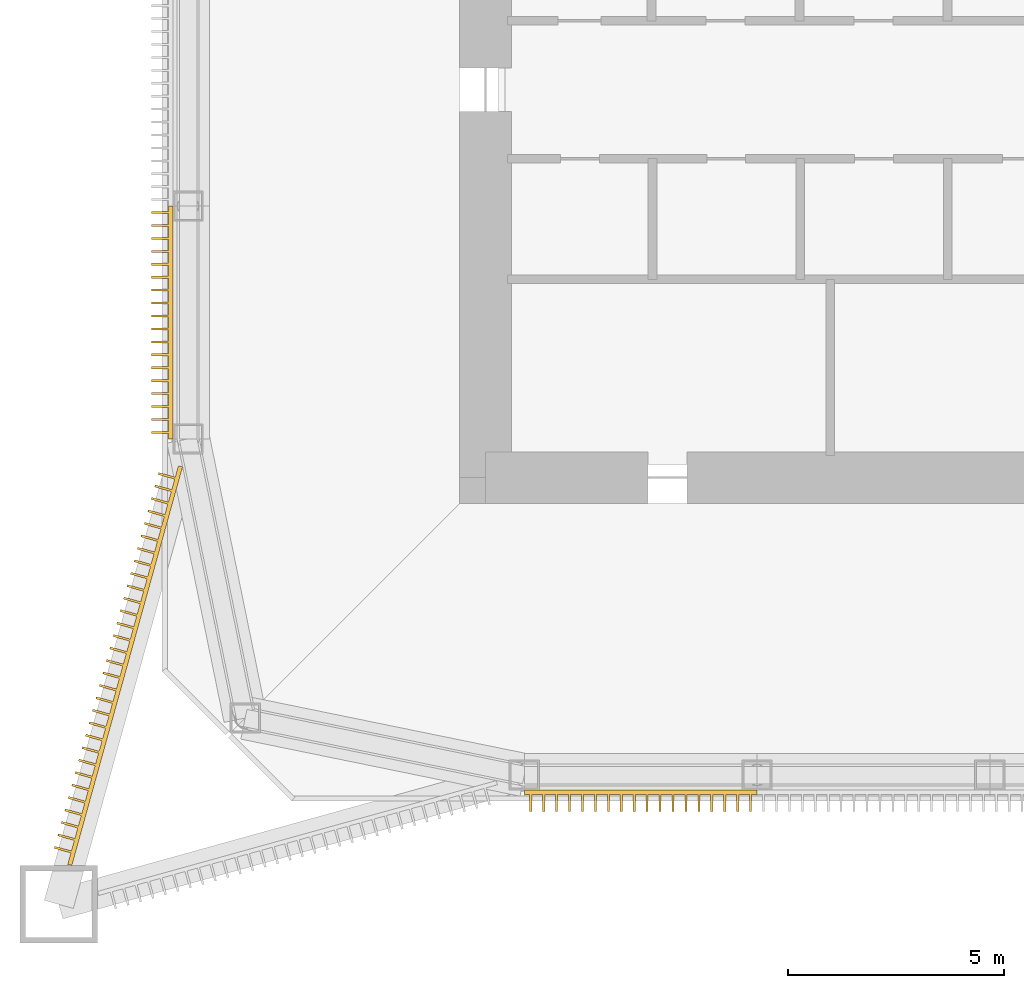
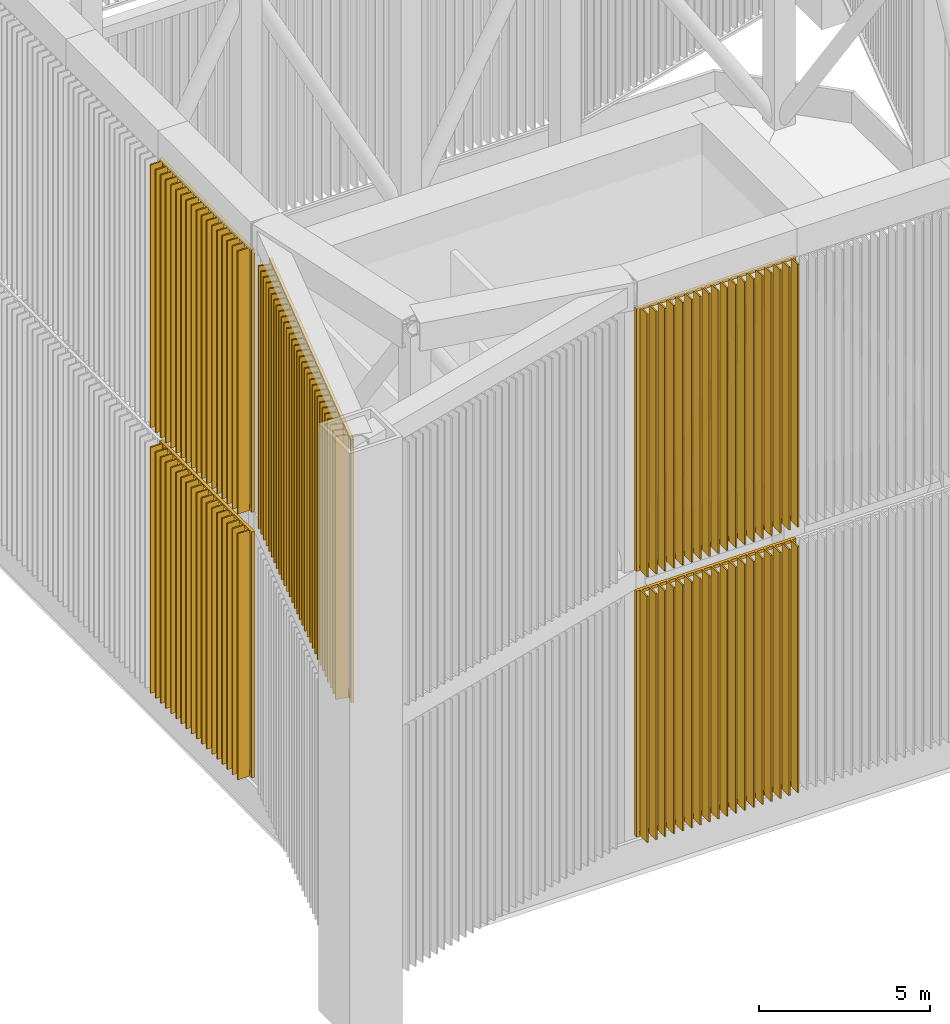
# One storey, part 5 of 13: 5 shading devices.
"""IFC4 building model written with IfcOpenShell, lengths in metres."""

from ifc_helpers import new_model, si_unit, direction, frame, origin, origin_2d, place, context, subcontext, project, spatial, rectangle, extrude, material, layer, layer_set, type_object, element, save


model = new_model("IFC4")

# Units and contexts
model_context = context("Model", 3, precision=1e-05, world=origin(), true_north=direction((0.0, 1.0)))
body_context = subcontext(model_context, "Body", "Model", "MODEL_VIEW")
ifc_project = project(units=[si_unit("LENGTHUNIT", "METRE"), si_unit("AREAUNIT", "SQUARE_METRE"), si_unit("VOLUMEUNIT", "CUBIC_METRE"), si_unit("PLANEANGLEUNIT", "RADIAN"), si_unit("MASSUNIT", "GRAM", prefix="KILO")], contexts=[model_context])

# Site, building, storey
site_placement = place(None, origin())
site = spatial("IfcSite", under=ifc_project, at=site_placement, CompositionType="ELEMENT")
building_placement = place(site_placement, origin())
building = spatial("IfcBuilding", under=site, at=building_placement, Name="Iwan Alto Co-Living Towers", CompositionType="ELEMENT")
storey_placement = place(building_placement, frame((0.0, 0.0, 267.5)))
storey = spatial("IfcBuildingStorey", under=building, at=storey_placement, Name="RF", CompositionType="ELEMENT", Elevation=267.5)

# Shading devices
ifc_material_1 = material(Name="Aluminium 6063-T6 bronze anodised", Category="aluminium")
ifc_layer_1 = layer(ifc_material_1, 0.39990234375, Name="Fins", Category="Finish")
ifc_material_2 = material(Name="Steel ASTM A36 galvanised frame", Category="steel")
ifc_layer_2 = layer(ifc_material_2, 0.10009765625, Name="Panel frame", Category="Framing")
ifc_layer_set_1 = layer_set([ifc_layer_1, ifc_layer_2], Name="CROWN FIN SCREEN CORNER PANEL")
shading_device_type_1 = type_object("IfcShadingDeviceType", Name="CROWN FIN SCREEN CORNER PANEL", PredefinedType="USERDEFINED", material=ifc_layer_set_1)
shading_device_1_placement = place(storey_placement, frame((0.0, 0.0, -267.5)))
element("IfcShadingDevice", 1, at=shading_device_1_placement, inside=storey, type_object=shading_device_type_1, Name="T1 crown fin screen SW-W upper", ObjectType="LOUVER", PredefinedType="USERDEFINED", context=body_context, shape_type="SweptSolid", body=[
    extrude(rectangle(XDim=9.59912109375, YDim=0.10009765625, at=origin_2d()), frame((-17.361083984375, -13.3603515625, 278.099853515625), z_axis=(0.0, 0.0, 1.0), x_axis=(-0.267643863841, -0.963517909615, 0.0)), (0.0, 0.0, 1.0), 0.10009765625),
    extrude(rectangle(XDim=9.59912109375, YDim=0.10009765625, at=origin_2d()), frame((-17.361083984375, -13.3603515625, 287.39990234375), z_axis=(0.0, 0.0, 1.0), x_axis=(-0.267643863841, -0.963517909615, 0.0)), (0.0, 0.0, 1.0), 0.10009765625),
    extrude(rectangle(XDim=0.10009765625, YDim=0.10009765625, at=origin_2d()), frame((-16.090087890625, -8.7841796875, 278.195068359375), z_axis=(0.0, 0.0, 1.0), x_axis=(-0.267643863841, -0.963517909615, 0.0)), (0.0, 0.0, 1.0), 9.2099609375),
    extrude(rectangle(XDim=0.10009765625, YDim=0.10009765625, at=origin_2d()), frame((-18.63232421875, -17.9365234375, 278.195068359375), z_axis=(0.0, 0.0, 1.0), x_axis=(-0.267643863841, -0.963517909615, 0.0)), (0.0, 0.0, 1.0), 9.2099609375),
    extrude(rectangle(XDim=0.050048828125, YDim=0.405029296875, at=origin_2d()), frame((-16.395263671875, -8.958251953125, 278.10009765625), z_axis=(0.0, 0.0, 1.0), x_axis=(-0.267643863841, -0.963517909615, 0.0)), (0.0, 0.0, 1.0), 9.39990234375),
    extrude(rectangle(XDim=0.050048828125, YDim=0.405029296875, at=origin_2d()), frame((-16.4755859375, -9.247314453125, 278.10009765625), z_axis=(0.0, 0.0, 1.0), x_axis=(-0.267643863841, -0.963517909615, 0.0)), (0.0, 0.0, 1.0), 9.39990234375),
    extrude(rectangle(XDim=0.050048828125, YDim=0.405029296875, at=origin_2d()), frame((-16.555908203125, -9.536376953125, 278.10009765625), z_axis=(0.0, 0.0, 1.0), x_axis=(-0.267643863841, -0.963517909615, 0.0)), (0.0, 0.0, 1.0), 9.39990234375),
    extrude(rectangle(XDim=0.050048828125, YDim=0.405029296875, at=origin_2d()), frame((-16.63623046875, -9.825439453125, 278.10009765625), z_axis=(0.0, 0.0, 1.0), x_axis=(-0.267643863841, -0.963517909615, 0.0)), (0.0, 0.0, 1.0), 9.39990234375),
    extrude(rectangle(XDim=0.050048828125, YDim=0.405029296875, at=origin_2d()), frame((-16.71630859375, -10.114501953125, 278.10009765625), z_axis=(0.0, 0.0, 1.0), x_axis=(-0.267643863841, -0.963517909615, 0.0)), (0.0, 0.0, 1.0), 9.39990234375),
    extrude(rectangle(XDim=0.050048828125, YDim=0.405029296875, at=origin_2d()), frame((-16.796630859375, -10.403564453125, 278.10009765625), z_axis=(0.0, 0.0, 1.0), x_axis=(-0.267643863841, -0.963517909615, 0.0)), (0.0, 0.0, 1.0), 9.39990234375),
    extrude(rectangle(XDim=0.050048828125, YDim=0.405029296875, at=origin_2d()), frame((-16.876953125, -10.692626953125, 278.10009765625), z_axis=(0.0, 0.0, 1.0), x_axis=(-0.267643863841, -0.963517909615, 0.0)), (0.0, 0.0, 1.0), 9.39990234375),
    extrude(rectangle(XDim=0.050048828125, YDim=0.405029296875, at=origin_2d()), frame((-16.957275390625, -10.981689453125, 278.10009765625), z_axis=(0.0, 0.0, 1.0), x_axis=(-0.267643863841, -0.963517909615, 0.0)), (0.0, 0.0, 1.0), 9.39990234375),
    extrude(rectangle(XDim=0.050048828125, YDim=0.405029296875, at=origin_2d()), frame((-17.03759765625, -11.270751953125, 278.10009765625), z_axis=(0.0, 0.0, 1.0), x_axis=(-0.267643863841, -0.963517909615, 0.0)), (0.0, 0.0, 1.0), 9.39990234375),
    extrude(rectangle(XDim=0.050048828125, YDim=0.405029296875, at=origin_2d()), frame((-17.117919921875, -11.559814453125, 278.10009765625), z_axis=(0.0, 0.0, 1.0), x_axis=(-0.267643863841, -0.963517909615, 0.0)), (0.0, 0.0, 1.0), 9.39990234375),
    extrude(rectangle(XDim=0.050048828125, YDim=0.405029296875, at=origin_2d()), frame((-17.1982421875, -11.848876953125, 278.10009765625), z_axis=(0.0, 0.0, 1.0), x_axis=(-0.267643863841, -0.963517909615, 0.0)), (0.0, 0.0, 1.0), 9.39990234375),
    extrude(rectangle(XDim=0.050048828125, YDim=0.405029296875, at=origin_2d()), frame((-17.278564453125, -12.137939453125, 278.10009765625), z_axis=(0.0, 0.0, 1.0), x_axis=(-0.267643863841, -0.963517909615, 0.0)), (0.0, 0.0, 1.0), 9.39990234375),
    extrude(rectangle(XDim=0.050048828125, YDim=0.405029296875, at=origin_2d()), frame((-17.35888671875, -12.427001953125, 278.10009765625), z_axis=(0.0, 0.0, 1.0), x_axis=(-0.267643863841, -0.963517909615, 0.0)), (0.0, 0.0, 1.0), 9.39990234375),
    extrude(rectangle(XDim=0.050048828125, YDim=0.405029296875, at=origin_2d()), frame((-17.439208984375, -12.716064453125, 278.10009765625), z_axis=(0.0, 0.0, 1.0), x_axis=(-0.267643863841, -0.963517909615, 0.0)), (0.0, 0.0, 1.0), 9.39990234375),
    extrude(rectangle(XDim=0.050048828125, YDim=0.405029296875, at=origin_2d()), frame((-17.519287109375, -13.0048828125, 278.10009765625), z_axis=(0.0, 0.0, 1.0), x_axis=(-0.267643863841, -0.963517909615, 0.0)), (0.0, 0.0, 1.0), 9.39990234375),
    extrude(rectangle(XDim=0.050048828125, YDim=0.405029296875, at=origin_2d()), frame((-17.599609375, -13.294189453125, 278.10009765625), z_axis=(0.0, 0.0, 1.0), x_axis=(-0.267643863841, -0.963517909615, 0.0)), (0.0, 0.0, 1.0), 9.39990234375),
    extrude(rectangle(XDim=0.050048828125, YDim=0.405029296875, at=origin_2d()), frame((-17.679931640625, -13.5830078125, 278.10009765625), z_axis=(0.0, 0.0, 1.0), x_axis=(-0.267643863841, -0.963517909615, 0.0)), (0.0, 0.0, 1.0), 9.39990234375),
    extrude(rectangle(XDim=0.050048828125, YDim=0.405029296875, at=origin_2d()), frame((-17.76025390625, -13.872314453125, 278.10009765625), z_axis=(0.0, 0.0, 1.0), x_axis=(-0.267643863841, -0.963517909615, 0.0)), (0.0, 0.0, 1.0), 9.39990234375),
    extrude(rectangle(XDim=0.050048828125, YDim=0.405029296875, at=origin_2d()), frame((-17.840576171875, -14.161376953125, 278.10009765625), z_axis=(0.0, 0.0, 1.0), x_axis=(-0.267643863841, -0.963517909615, 0.0)), (0.0, 0.0, 1.0), 9.39990234375),
    extrude(rectangle(XDim=0.050048828125, YDim=0.405029296875, at=origin_2d()), frame((-17.9208984375, -14.4501953125, 278.10009765625), z_axis=(0.0, 0.0, 1.0), x_axis=(-0.267643863841, -0.963517909615, 0.0)), (0.0, 0.0, 1.0), 9.39990234375),
    extrude(rectangle(XDim=0.050048828125, YDim=0.405029296875, at=origin_2d()), frame((-18.001220703125, -14.739501953125, 278.10009765625), z_axis=(0.0, 0.0, 1.0), x_axis=(-0.267643863841, -0.963517909615, 0.0)), (0.0, 0.0, 1.0), 9.39990234375),
    extrude(rectangle(XDim=0.050048828125, YDim=0.405029296875, at=origin_2d()), frame((-18.081298828125, -15.0283203125, 278.10009765625), z_axis=(0.0, 0.0, 1.0), x_axis=(-0.267643863841, -0.963517909615, 0.0)), (0.0, 0.0, 1.0), 9.39990234375),
    extrude(rectangle(XDim=0.050048828125, YDim=0.405029296875, at=origin_2d()), frame((-18.16162109375, -15.3173828125, 278.10009765625), z_axis=(0.0, 0.0, 1.0), x_axis=(-0.267643863841, -0.963517909615, 0.0)), (0.0, 0.0, 1.0), 9.39990234375),
    extrude(rectangle(XDim=0.050048828125, YDim=0.405029296875, at=origin_2d()), frame((-18.241943359375, -15.6064453125, 278.10009765625), z_axis=(0.0, 0.0, 1.0), x_axis=(-0.267643863841, -0.963517909615, 0.0)), (0.0, 0.0, 1.0), 9.39990234375),
    extrude(rectangle(XDim=0.050048828125, YDim=0.405029296875, at=origin_2d()), frame((-18.322265625, -15.8955078125, 278.10009765625), z_axis=(0.0, 0.0, 1.0), x_axis=(-0.267643863841, -0.963517909615, 0.0)), (0.0, 0.0, 1.0), 9.39990234375),
    extrude(rectangle(XDim=0.050048828125, YDim=0.405029296875, at=origin_2d()), frame((-18.402587890625, -16.1845703125, 278.10009765625), z_axis=(0.0, 0.0, 1.0), x_axis=(-0.267643863841, -0.963517909615, 0.0)), (0.0, 0.0, 1.0), 9.39990234375),
    extrude(rectangle(XDim=0.050048828125, YDim=0.405029296875, at=origin_2d()), frame((-18.48291015625, -16.4736328125, 278.10009765625), z_axis=(0.0, 0.0, 1.0), x_axis=(-0.267643863841, -0.963517909615, 0.0)), (0.0, 0.0, 1.0), 9.39990234375),
    extrude(rectangle(XDim=0.050048828125, YDim=0.405029296875, at=origin_2d()), frame((-18.563232421875, -16.7626953125, 278.10009765625), z_axis=(0.0, 0.0, 1.0), x_axis=(-0.267643863841, -0.963517909615, 0.0)), (0.0, 0.0, 1.0), 9.39990234375),
    extrude(rectangle(XDim=0.050048828125, YDim=0.405029296875, at=origin_2d()), frame((-18.6435546875, -17.0517578125, 278.10009765625), z_axis=(0.0, 0.0, 1.0), x_axis=(-0.267643863841, -0.963517909615, 0.0)), (0.0, 0.0, 1.0), 9.39990234375),
    extrude(rectangle(XDim=0.050048828125, YDim=0.405029296875, at=origin_2d()), frame((-18.723876953125, -17.3408203125, 278.10009765625), z_axis=(0.0, 0.0, 1.0), x_axis=(-0.267643863841, -0.963517909615, 0.0)), (0.0, 0.0, 1.0), 9.39990234375),
    extrude(rectangle(XDim=0.050048828125, YDim=0.405029296875, at=origin_2d()), frame((-18.80419921875, -17.6298828125, 278.10009765625), z_axis=(0.0, 0.0, 1.0), x_axis=(-0.267643863841, -0.963517909615, 0.0)), (0.0, 0.0, 1.0), 9.39990234375),
])
ifc_layer_3 = layer(ifc_material_1, 0.39990234375, Name="Fins", Category="Finish")
ifc_layer_4 = layer(ifc_material_2, 0.10009765625, Name="Panel frame", Category="Framing")
ifc_layer_set_2 = layer_set([ifc_layer_3, ifc_layer_4], Name="CROWN FIN SCREEN PANEL")
shading_device_type_2 = type_object("IfcShadingDeviceType", Name="CROWN FIN SCREEN PANEL", PredefinedType="USERDEFINED", material=ifc_layer_set_2)
shading_device_2_placement = place(storey_placement, frame((0.0, 0.0, -267.5)))
element("IfcShadingDevice", 2, at=shading_device_2_placement, inside=storey, type_object=shading_device_type_2, Name="T1 crown fin screen S-01 lower", ObjectType="LOUVER", PredefinedType="USERDEFINED", context=body_context, shape_type="SweptSolid", body=[
    extrude(rectangle(XDim=5.39990234375, YDim=0.10009765625, at=origin_2d()), frame((-5.39990234375, -16.300048828125, 268.599853515625), z_axis=(0.0, 0.0, 1.0), x_axis=(1.0, 0.0, 0.0)), (0.0, 0.0, 1.0), 0.10009765625),
    extrude(rectangle(XDim=5.39990234375, YDim=0.10009765625, at=origin_2d()), frame((-5.39990234375, -16.300048828125, 277.300048828125), z_axis=(0.0, 0.0, 1.0), x_axis=(1.0, 0.0, 0.0)), (0.0, 0.0, 1.0), 0.10009765625),
    extrude(rectangle(XDim=0.10009765625, YDim=0.10009765625, at=origin_2d()), frame((-8.050048828125, -16.300048828125, 268.69482421875), z_axis=(0.0, 0.0, 1.0), x_axis=(1.0, 0.0, 0.0)), (0.0, 0.0, 1.0), 8.610107421875),
    extrude(rectangle(XDim=0.10009765625, YDim=0.10009765625, at=origin_2d()), frame((-2.75, -16.300048828125, 268.69482421875), z_axis=(0.0, 0.0, 1.0), x_axis=(1.0, 0.0, 0.0)), (0.0, 0.0, 1.0), 8.610107421875),
    extrude(rectangle(XDim=0.050048828125, YDim=0.405029296875, at=origin_2d()), frame((-7.949951171875, -16.547607421875, 268.60009765625), z_axis=(0.0, 0.0, 1.0), x_axis=(1.0, 0.0, 0.0)), (0.0, 0.0, 1.0), 8.800048828125),
    extrude(rectangle(XDim=0.050048828125, YDim=0.405029296875, at=origin_2d()), frame((-7.64990234375, -16.547607421875, 268.60009765625), z_axis=(0.0, 0.0, 1.0), x_axis=(1.0, 0.0, 0.0)), (0.0, 0.0, 1.0), 8.800048828125),
    extrude(rectangle(XDim=0.050048828125, YDim=0.405029296875, at=origin_2d()), frame((-7.35009765625, -16.547607421875, 268.60009765625), z_axis=(0.0, 0.0, 1.0), x_axis=(1.0, 0.0, 0.0)), (0.0, 0.0, 1.0), 8.800048828125),
    extrude(rectangle(XDim=0.050048828125, YDim=0.405029296875, at=origin_2d()), frame((-7.050048828125, -16.547607421875, 268.60009765625), z_axis=(0.0, 0.0, 1.0), x_axis=(1.0, 0.0, 0.0)), (0.0, 0.0, 1.0), 8.800048828125),
    extrude(rectangle(XDim=0.050048828125, YDim=0.405029296875, at=origin_2d()), frame((-6.75, -16.547607421875, 268.60009765625), z_axis=(0.0, 0.0, 1.0), x_axis=(1.0, 0.0, 0.0)), (0.0, 0.0, 1.0), 8.800048828125),
    extrude(rectangle(XDim=0.050048828125, YDim=0.405029296875, at=origin_2d()), frame((-6.449951171875, -16.547607421875, 268.60009765625), z_axis=(0.0, 0.0, 1.0), x_axis=(1.0, 0.0, 0.0)), (0.0, 0.0, 1.0), 8.800048828125),
    extrude(rectangle(XDim=0.050048828125, YDim=0.405029296875, at=origin_2d()), frame((-6.14990234375, -16.547607421875, 268.60009765625), z_axis=(0.0, 0.0, 1.0), x_axis=(1.0, 0.0, 0.0)), (0.0, 0.0, 1.0), 8.800048828125),
    extrude(rectangle(XDim=0.050048828125, YDim=0.405029296875, at=origin_2d()), frame((-5.85009765625, -16.547607421875, 268.60009765625), z_axis=(0.0, 0.0, 1.0), x_axis=(1.0, 0.0, 0.0)), (0.0, 0.0, 1.0), 8.800048828125),
    extrude(rectangle(XDim=0.050048828125, YDim=0.405029296875, at=origin_2d()), frame((-5.550048828125, -16.547607421875, 268.60009765625), z_axis=(0.0, 0.0, 1.0), x_axis=(1.0, 0.0, 0.0)), (0.0, 0.0, 1.0), 8.800048828125),
    extrude(rectangle(XDim=0.050048828125, YDim=0.405029296875, at=origin_2d()), frame((-5.25, -16.547607421875, 268.60009765625), z_axis=(0.0, 0.0, 1.0), x_axis=(1.0, 0.0, 0.0)), (0.0, 0.0, 1.0), 8.800048828125),
    extrude(rectangle(XDim=0.050048828125, YDim=0.405029296875, at=origin_2d()), frame((-4.949951171875, -16.547607421875, 268.60009765625), z_axis=(0.0, 0.0, 1.0), x_axis=(1.0, 0.0, 0.0)), (0.0, 0.0, 1.0), 8.800048828125),
    extrude(rectangle(XDim=0.050048828125, YDim=0.405029296875, at=origin_2d()), frame((-4.64990234375, -16.547607421875, 268.60009765625), z_axis=(0.0, 0.0, 1.0), x_axis=(1.0, 0.0, 0.0)), (0.0, 0.0, 1.0), 8.800048828125),
    extrude(rectangle(XDim=0.050048828125, YDim=0.405029296875, at=origin_2d()), frame((-4.35009765625, -16.547607421875, 268.60009765625), z_axis=(0.0, 0.0, 1.0), x_axis=(1.0, 0.0, 0.0)), (0.0, 0.0, 1.0), 8.800048828125),
    extrude(rectangle(XDim=0.050048828125, YDim=0.405029296875, at=origin_2d()), frame((-4.050048828125, -16.547607421875, 268.60009765625), z_axis=(0.0, 0.0, 1.0), x_axis=(1.0, 0.0, 0.0)), (0.0, 0.0, 1.0), 8.800048828125),
    extrude(rectangle(XDim=0.050048828125, YDim=0.405029296875, at=origin_2d()), frame((-3.75, -16.547607421875, 268.60009765625), z_axis=(0.0, 0.0, 1.0), x_axis=(1.0, 0.0, 0.0)), (0.0, 0.0, 1.0), 8.800048828125),
    extrude(rectangle(XDim=0.050048828125, YDim=0.405029296875, at=origin_2d()), frame((-3.449951171875, -16.547607421875, 268.60009765625), z_axis=(0.0, 0.0, 1.0), x_axis=(1.0, 0.0, 0.0)), (0.0, 0.0, 1.0), 8.800048828125),
    extrude(rectangle(XDim=0.050048828125, YDim=0.405029296875, at=origin_2d()), frame((-3.14990234375, -16.547607421875, 268.60009765625), z_axis=(0.0, 0.0, 1.0), x_axis=(1.0, 0.0, 0.0)), (0.0, 0.0, 1.0), 8.800048828125),
    extrude(rectangle(XDim=0.050048828125, YDim=0.405029296875, at=origin_2d()), frame((-2.85009765625, -16.547607421875, 268.60009765625), z_axis=(0.0, 0.0, 1.0), x_axis=(1.0, 0.0, 0.0)), (0.0, 0.0, 1.0), 8.800048828125),
])
shading_device_3_placement = place(storey_placement, frame((0.0, 0.0, -267.5)))
element("IfcShadingDevice", 3, at=shading_device_3_placement, inside=storey, type_object=shading_device_type_2, Name="T1 crown fin screen S-01 upper", ObjectType="LOUVER", PredefinedType="USERDEFINED", context=body_context, shape_type="SweptSolid", body=[
    extrude(rectangle(XDim=5.39990234375, YDim=0.10009765625, at=origin_2d()), frame((-5.39990234375, -16.300048828125, 278.099853515625), z_axis=(0.0, 0.0, 1.0), x_axis=(1.0, 0.0, 0.0)), (0.0, 0.0, 1.0), 0.10009765625),
    extrude(rectangle(XDim=5.39990234375, YDim=0.10009765625, at=origin_2d()), frame((-5.39990234375, -16.300048828125, 287.39990234375), z_axis=(0.0, 0.0, 1.0), x_axis=(1.0, 0.0, 0.0)), (0.0, 0.0, 1.0), 0.10009765625),
    extrude(rectangle(XDim=0.10009765625, YDim=0.10009765625, at=origin_2d()), frame((-8.050048828125, -16.300048828125, 278.195068359375), z_axis=(0.0, 0.0, 1.0), x_axis=(1.0, 0.0, 0.0)), (0.0, 0.0, 1.0), 9.2099609375),
    extrude(rectangle(XDim=0.10009765625, YDim=0.10009765625, at=origin_2d()), frame((-2.75, -16.300048828125, 278.195068359375), z_axis=(0.0, 0.0, 1.0), x_axis=(1.0, 0.0, 0.0)), (0.0, 0.0, 1.0), 9.2099609375),
    extrude(rectangle(XDim=0.050048828125, YDim=0.405029296875, at=origin_2d()), frame((-7.949951171875, -16.547607421875, 278.10009765625), z_axis=(0.0, 0.0, 1.0), x_axis=(1.0, 0.0, 0.0)), (0.0, 0.0, 1.0), 9.39990234375),
    extrude(rectangle(XDim=0.050048828125, YDim=0.405029296875, at=origin_2d()), frame((-7.64990234375, -16.547607421875, 278.10009765625), z_axis=(0.0, 0.0, 1.0), x_axis=(1.0, 0.0, 0.0)), (0.0, 0.0, 1.0), 9.39990234375),
    extrude(rectangle(XDim=0.050048828125, YDim=0.405029296875, at=origin_2d()), frame((-7.35009765625, -16.547607421875, 278.10009765625), z_axis=(0.0, 0.0, 1.0), x_axis=(1.0, 0.0, 0.0)), (0.0, 0.0, 1.0), 9.39990234375),
    extrude(rectangle(XDim=0.050048828125, YDim=0.405029296875, at=origin_2d()), frame((-7.050048828125, -16.547607421875, 278.10009765625), z_axis=(0.0, 0.0, 1.0), x_axis=(1.0, 0.0, 0.0)), (0.0, 0.0, 1.0), 9.39990234375),
    extrude(rectangle(XDim=0.050048828125, YDim=0.405029296875, at=origin_2d()), frame((-6.75, -16.547607421875, 278.10009765625), z_axis=(0.0, 0.0, 1.0), x_axis=(1.0, 0.0, 0.0)), (0.0, 0.0, 1.0), 9.39990234375),
    extrude(rectangle(XDim=0.050048828125, YDim=0.405029296875, at=origin_2d()), frame((-6.449951171875, -16.547607421875, 278.10009765625), z_axis=(0.0, 0.0, 1.0), x_axis=(1.0, 0.0, 0.0)), (0.0, 0.0, 1.0), 9.39990234375),
    extrude(rectangle(XDim=0.050048828125, YDim=0.405029296875, at=origin_2d()), frame((-6.14990234375, -16.547607421875, 278.10009765625), z_axis=(0.0, 0.0, 1.0), x_axis=(1.0, 0.0, 0.0)), (0.0, 0.0, 1.0), 9.39990234375),
    extrude(rectangle(XDim=0.050048828125, YDim=0.405029296875, at=origin_2d()), frame((-5.85009765625, -16.547607421875, 278.10009765625), z_axis=(0.0, 0.0, 1.0), x_axis=(1.0, 0.0, 0.0)), (0.0, 0.0, 1.0), 9.39990234375),
    extrude(rectangle(XDim=0.050048828125, YDim=0.405029296875, at=origin_2d()), frame((-5.550048828125, -16.547607421875, 278.10009765625), z_axis=(0.0, 0.0, 1.0), x_axis=(1.0, 0.0, 0.0)), (0.0, 0.0, 1.0), 9.39990234375),
    extrude(rectangle(XDim=0.050048828125, YDim=0.405029296875, at=origin_2d()), frame((-5.25, -16.547607421875, 278.10009765625), z_axis=(0.0, 0.0, 1.0), x_axis=(1.0, 0.0, 0.0)), (0.0, 0.0, 1.0), 9.39990234375),
    extrude(rectangle(XDim=0.050048828125, YDim=0.405029296875, at=origin_2d()), frame((-4.949951171875, -16.547607421875, 278.10009765625), z_axis=(0.0, 0.0, 1.0), x_axis=(1.0, 0.0, 0.0)), (0.0, 0.0, 1.0), 9.39990234375),
    extrude(rectangle(XDim=0.050048828125, YDim=0.405029296875, at=origin_2d()), frame((-4.64990234375, -16.547607421875, 278.10009765625), z_axis=(0.0, 0.0, 1.0), x_axis=(1.0, 0.0, 0.0)), (0.0, 0.0, 1.0), 9.39990234375),
    extrude(rectangle(XDim=0.050048828125, YDim=0.405029296875, at=origin_2d()), frame((-4.35009765625, -16.547607421875, 278.10009765625), z_axis=(0.0, 0.0, 1.0), x_axis=(1.0, 0.0, 0.0)), (0.0, 0.0, 1.0), 9.39990234375),
    extrude(rectangle(XDim=0.050048828125, YDim=0.405029296875, at=origin_2d()), frame((-4.050048828125, -16.547607421875, 278.10009765625), z_axis=(0.0, 0.0, 1.0), x_axis=(1.0, 0.0, 0.0)), (0.0, 0.0, 1.0), 9.39990234375),
    extrude(rectangle(XDim=0.050048828125, YDim=0.405029296875, at=origin_2d()), frame((-3.75, -16.547607421875, 278.10009765625), z_axis=(0.0, 0.0, 1.0), x_axis=(1.0, 0.0, 0.0)), (0.0, 0.0, 1.0), 9.39990234375),
    extrude(rectangle(XDim=0.050048828125, YDim=0.405029296875, at=origin_2d()), frame((-3.449951171875, -16.547607421875, 278.10009765625), z_axis=(0.0, 0.0, 1.0), x_axis=(1.0, 0.0, 0.0)), (0.0, 0.0, 1.0), 9.39990234375),
    extrude(rectangle(XDim=0.050048828125, YDim=0.405029296875, at=origin_2d()), frame((-3.14990234375, -16.547607421875, 278.10009765625), z_axis=(0.0, 0.0, 1.0), x_axis=(1.0, 0.0, 0.0)), (0.0, 0.0, 1.0), 9.39990234375),
    extrude(rectangle(XDim=0.050048828125, YDim=0.405029296875, at=origin_2d()), frame((-2.85009765625, -16.547607421875, 278.10009765625), z_axis=(0.0, 0.0, 1.0), x_axis=(1.0, 0.0, 0.0)), (0.0, 0.0, 1.0), 9.39990234375),
])
shading_device_4_placement = place(storey_placement, frame((0.0, 0.0, -267.5)))
element("IfcShadingDevice", 4, at=shading_device_4_placement, inside=storey, type_object=shading_device_type_2, Name="T1 crown fin screen W-03 lower", ObjectType="LOUVER", PredefinedType="USERDEFINED", context=body_context, shape_type="SweptSolid", body=[
    extrude(rectangle(XDim=5.39990234375, YDim=0.10009765625, at=origin_2d()), frame((-16.300048828125, -5.39990234375, 268.599853515625), z_axis=(0.0, 0.0, 1.0), x_axis=(0.0, -1.0, 0.0)), (0.0, 0.0, 1.0), 0.10009765625),
    extrude(rectangle(XDim=5.39990234375, YDim=0.10009765625, at=origin_2d()), frame((-16.300048828125, -5.39990234375, 277.300048828125), z_axis=(0.0, 0.0, 1.0), x_axis=(0.0, -1.0, 0.0)), (0.0, 0.0, 1.0), 0.10009765625),
    extrude(rectangle(XDim=0.10009765625, YDim=0.10009765625, at=origin_2d()), frame((-16.300048828125, -2.75, 268.69482421875), z_axis=(0.0, 0.0, 1.0), x_axis=(0.0, -1.0, 0.0)), (0.0, 0.0, 1.0), 8.610107421875),
    extrude(rectangle(XDim=0.10009765625, YDim=0.10009765625, at=origin_2d()), frame((-16.300048828125, -8.050048828125, 268.69482421875), z_axis=(0.0, 0.0, 1.0), x_axis=(0.0, -1.0, 0.0)), (0.0, 0.0, 1.0), 8.610107421875),
    extrude(rectangle(XDim=0.050048828125, YDim=0.405029296875, at=origin_2d()), frame((-16.547607421875, -2.85009765625, 268.60009765625), z_axis=(0.0, 0.0, 1.0), x_axis=(0.0, -1.0, 0.0)), (0.0, 0.0, 1.0), 8.800048828125),
    extrude(rectangle(XDim=0.050048828125, YDim=0.405029296875, at=origin_2d()), frame((-16.547607421875, -3.14990234375, 268.60009765625), z_axis=(0.0, 0.0, 1.0), x_axis=(0.0, -1.0, 0.0)), (0.0, 0.0, 1.0), 8.800048828125),
    extrude(rectangle(XDim=0.050048828125, YDim=0.405029296875, at=origin_2d()), frame((-16.547607421875, -3.449951171875, 268.60009765625), z_axis=(0.0, 0.0, 1.0), x_axis=(0.0, -1.0, 0.0)), (0.0, 0.0, 1.0), 8.800048828125),
    extrude(rectangle(XDim=0.050048828125, YDim=0.405029296875, at=origin_2d()), frame((-16.547607421875, -3.75, 268.60009765625), z_axis=(0.0, 0.0, 1.0), x_axis=(0.0, -1.0, 0.0)), (0.0, 0.0, 1.0), 8.800048828125),
    extrude(rectangle(XDim=0.050048828125, YDim=0.405029296875, at=origin_2d()), frame((-16.547607421875, -4.050048828125, 268.60009765625), z_axis=(0.0, 0.0, 1.0), x_axis=(0.0, -1.0, 0.0)), (0.0, 0.0, 1.0), 8.800048828125),
    extrude(rectangle(XDim=0.050048828125, YDim=0.405029296875, at=origin_2d()), frame((-16.547607421875, -4.35009765625, 268.60009765625), z_axis=(0.0, 0.0, 1.0), x_axis=(0.0, -1.0, 0.0)), (0.0, 0.0, 1.0), 8.800048828125),
    extrude(rectangle(XDim=0.050048828125, YDim=0.405029296875, at=origin_2d()), frame((-16.547607421875, -4.64990234375, 268.60009765625), z_axis=(0.0, 0.0, 1.0), x_axis=(0.0, -1.0, 0.0)), (0.0, 0.0, 1.0), 8.800048828125),
    extrude(rectangle(XDim=0.050048828125, YDim=0.405029296875, at=origin_2d()), frame((-16.547607421875, -4.949951171875, 268.60009765625), z_axis=(0.0, 0.0, 1.0), x_axis=(0.0, -1.0, 0.0)), (0.0, 0.0, 1.0), 8.800048828125),
    extrude(rectangle(XDim=0.050048828125, YDim=0.405029296875, at=origin_2d()), frame((-16.547607421875, -5.25, 268.60009765625), z_axis=(0.0, 0.0, 1.0), x_axis=(0.0, -1.0, 0.0)), (0.0, 0.0, 1.0), 8.800048828125),
    extrude(rectangle(XDim=0.050048828125, YDim=0.405029296875, at=origin_2d()), frame((-16.547607421875, -5.550048828125, 268.60009765625), z_axis=(0.0, 0.0, 1.0), x_axis=(0.0, -1.0, 0.0)), (0.0, 0.0, 1.0), 8.800048828125),
    extrude(rectangle(XDim=0.050048828125, YDim=0.405029296875, at=origin_2d()), frame((-16.547607421875, -5.85009765625, 268.60009765625), z_axis=(0.0, 0.0, 1.0), x_axis=(0.0, -1.0, 0.0)), (0.0, 0.0, 1.0), 8.800048828125),
    extrude(rectangle(XDim=0.050048828125, YDim=0.405029296875, at=origin_2d()), frame((-16.547607421875, -6.14990234375, 268.60009765625), z_axis=(0.0, 0.0, 1.0), x_axis=(0.0, -1.0, 0.0)), (0.0, 0.0, 1.0), 8.800048828125),
    extrude(rectangle(XDim=0.050048828125, YDim=0.405029296875, at=origin_2d()), frame((-16.547607421875, -6.449951171875, 268.60009765625), z_axis=(0.0, 0.0, 1.0), x_axis=(0.0, -1.0, 0.0)), (0.0, 0.0, 1.0), 8.800048828125),
    extrude(rectangle(XDim=0.050048828125, YDim=0.405029296875, at=origin_2d()), frame((-16.547607421875, -6.75, 268.60009765625), z_axis=(0.0, 0.0, 1.0), x_axis=(0.0, -1.0, 0.0)), (0.0, 0.0, 1.0), 8.800048828125),
    extrude(rectangle(XDim=0.050048828125, YDim=0.405029296875, at=origin_2d()), frame((-16.547607421875, -7.050048828125, 268.60009765625), z_axis=(0.0, 0.0, 1.0), x_axis=(0.0, -1.0, 0.0)), (0.0, 0.0, 1.0), 8.800048828125),
    extrude(rectangle(XDim=0.050048828125, YDim=0.405029296875, at=origin_2d()), frame((-16.547607421875, -7.35009765625, 268.60009765625), z_axis=(0.0, 0.0, 1.0), x_axis=(0.0, -1.0, 0.0)), (0.0, 0.0, 1.0), 8.800048828125),
    extrude(rectangle(XDim=0.050048828125, YDim=0.405029296875, at=origin_2d()), frame((-16.547607421875, -7.64990234375, 268.60009765625), z_axis=(0.0, 0.0, 1.0), x_axis=(0.0, -1.0, 0.0)), (0.0, 0.0, 1.0), 8.800048828125),
    extrude(rectangle(XDim=0.050048828125, YDim=0.405029296875, at=origin_2d()), frame((-16.547607421875, -7.949951171875, 268.60009765625), z_axis=(0.0, 0.0, 1.0), x_axis=(0.0, -1.0, 0.0)), (0.0, 0.0, 1.0), 8.800048828125),
])
shading_device_5_placement = place(storey_placement, frame((0.0, 0.0, -267.5)))
element("IfcShadingDevice", 5, at=shading_device_5_placement, inside=storey, type_object=shading_device_type_2, Name="T1 crown fin screen W-03 upper", ObjectType="LOUVER", PredefinedType="USERDEFINED", context=body_context, shape_type="SweptSolid", body=[
    extrude(rectangle(XDim=5.39990234375, YDim=0.10009765625, at=origin_2d()), frame((-16.300048828125, -5.39990234375, 278.099853515625), z_axis=(0.0, 0.0, 1.0), x_axis=(0.0, -1.0, 0.0)), (0.0, 0.0, 1.0), 0.10009765625),
    extrude(rectangle(XDim=5.39990234375, YDim=0.10009765625, at=origin_2d()), frame((-16.300048828125, -5.39990234375, 287.39990234375), z_axis=(0.0, 0.0, 1.0), x_axis=(0.0, -1.0, 0.0)), (0.0, 0.0, 1.0), 0.10009765625),
    extrude(rectangle(XDim=0.10009765625, YDim=0.10009765625, at=origin_2d()), frame((-16.300048828125, -2.75, 278.195068359375), z_axis=(0.0, 0.0, 1.0), x_axis=(0.0, -1.0, 0.0)), (0.0, 0.0, 1.0), 9.2099609375),
    extrude(rectangle(XDim=0.10009765625, YDim=0.10009765625, at=origin_2d()), frame((-16.300048828125, -8.050048828125, 278.195068359375), z_axis=(0.0, 0.0, 1.0), x_axis=(0.0, -1.0, 0.0)), (0.0, 0.0, 1.0), 9.2099609375),
    extrude(rectangle(XDim=0.050048828125, YDim=0.405029296875, at=origin_2d()), frame((-16.547607421875, -2.85009765625, 278.10009765625), z_axis=(0.0, 0.0, 1.0), x_axis=(0.0, -1.0, 0.0)), (0.0, 0.0, 1.0), 9.39990234375),
    extrude(rectangle(XDim=0.050048828125, YDim=0.405029296875, at=origin_2d()), frame((-16.547607421875, -3.14990234375, 278.10009765625), z_axis=(0.0, 0.0, 1.0), x_axis=(0.0, -1.0, 0.0)), (0.0, 0.0, 1.0), 9.39990234375),
    extrude(rectangle(XDim=0.050048828125, YDim=0.405029296875, at=origin_2d()), frame((-16.547607421875, -3.449951171875, 278.10009765625), z_axis=(0.0, 0.0, 1.0), x_axis=(0.0, -1.0, 0.0)), (0.0, 0.0, 1.0), 9.39990234375),
    extrude(rectangle(XDim=0.050048828125, YDim=0.405029296875, at=origin_2d()), frame((-16.547607421875, -3.75, 278.10009765625), z_axis=(0.0, 0.0, 1.0), x_axis=(0.0, -1.0, 0.0)), (0.0, 0.0, 1.0), 9.39990234375),
    extrude(rectangle(XDim=0.050048828125, YDim=0.405029296875, at=origin_2d()), frame((-16.547607421875, -4.050048828125, 278.10009765625), z_axis=(0.0, 0.0, 1.0), x_axis=(0.0, -1.0, 0.0)), (0.0, 0.0, 1.0), 9.39990234375),
    extrude(rectangle(XDim=0.050048828125, YDim=0.405029296875, at=origin_2d()), frame((-16.547607421875, -4.35009765625, 278.10009765625), z_axis=(0.0, 0.0, 1.0), x_axis=(0.0, -1.0, 0.0)), (0.0, 0.0, 1.0), 9.39990234375),
    extrude(rectangle(XDim=0.050048828125, YDim=0.405029296875, at=origin_2d()), frame((-16.547607421875, -4.64990234375, 278.10009765625), z_axis=(0.0, 0.0, 1.0), x_axis=(0.0, -1.0, 0.0)), (0.0, 0.0, 1.0), 9.39990234375),
    extrude(rectangle(XDim=0.050048828125, YDim=0.405029296875, at=origin_2d()), frame((-16.547607421875, -4.949951171875, 278.10009765625), z_axis=(0.0, 0.0, 1.0), x_axis=(0.0, -1.0, 0.0)), (0.0, 0.0, 1.0), 9.39990234375),
    extrude(rectangle(XDim=0.050048828125, YDim=0.405029296875, at=origin_2d()), frame((-16.547607421875, -5.25, 278.10009765625), z_axis=(0.0, 0.0, 1.0), x_axis=(0.0, -1.0, 0.0)), (0.0, 0.0, 1.0), 9.39990234375),
    extrude(rectangle(XDim=0.050048828125, YDim=0.405029296875, at=origin_2d()), frame((-16.547607421875, -5.550048828125, 278.10009765625), z_axis=(0.0, 0.0, 1.0), x_axis=(0.0, -1.0, 0.0)), (0.0, 0.0, 1.0), 9.39990234375),
    extrude(rectangle(XDim=0.050048828125, YDim=0.405029296875, at=origin_2d()), frame((-16.547607421875, -5.85009765625, 278.10009765625), z_axis=(0.0, 0.0, 1.0), x_axis=(0.0, -1.0, 0.0)), (0.0, 0.0, 1.0), 9.39990234375),
    extrude(rectangle(XDim=0.050048828125, YDim=0.405029296875, at=origin_2d()), frame((-16.547607421875, -6.14990234375, 278.10009765625), z_axis=(0.0, 0.0, 1.0), x_axis=(0.0, -1.0, 0.0)), (0.0, 0.0, 1.0), 9.39990234375),
    extrude(rectangle(XDim=0.050048828125, YDim=0.405029296875, at=origin_2d()), frame((-16.547607421875, -6.449951171875, 278.10009765625), z_axis=(0.0, 0.0, 1.0), x_axis=(0.0, -1.0, 0.0)), (0.0, 0.0, 1.0), 9.39990234375),
    extrude(rectangle(XDim=0.050048828125, YDim=0.405029296875, at=origin_2d()), frame((-16.547607421875, -6.75, 278.10009765625), z_axis=(0.0, 0.0, 1.0), x_axis=(0.0, -1.0, 0.0)), (0.0, 0.0, 1.0), 9.39990234375),
    extrude(rectangle(XDim=0.050048828125, YDim=0.405029296875, at=origin_2d()), frame((-16.547607421875, -7.050048828125, 278.10009765625), z_axis=(0.0, 0.0, 1.0), x_axis=(0.0, -1.0, 0.0)), (0.0, 0.0, 1.0), 9.39990234375),
    extrude(rectangle(XDim=0.050048828125, YDim=0.405029296875, at=origin_2d()), frame((-16.547607421875, -7.35009765625, 278.10009765625), z_axis=(0.0, 0.0, 1.0), x_axis=(0.0, -1.0, 0.0)), (0.0, 0.0, 1.0), 9.39990234375),
    extrude(rectangle(XDim=0.050048828125, YDim=0.405029296875, at=origin_2d()), frame((-16.547607421875, -7.64990234375, 278.10009765625), z_axis=(0.0, 0.0, 1.0), x_axis=(0.0, -1.0, 0.0)), (0.0, 0.0, 1.0), 9.39990234375),
    extrude(rectangle(XDim=0.050048828125, YDim=0.405029296875, at=origin_2d()), frame((-16.547607421875, -7.949951171875, 278.10009765625), z_axis=(0.0, 0.0, 1.0), x_axis=(0.0, -1.0, 0.0)), (0.0, 0.0, 1.0), 9.39990234375),
])

save(model, "model.ifc")
